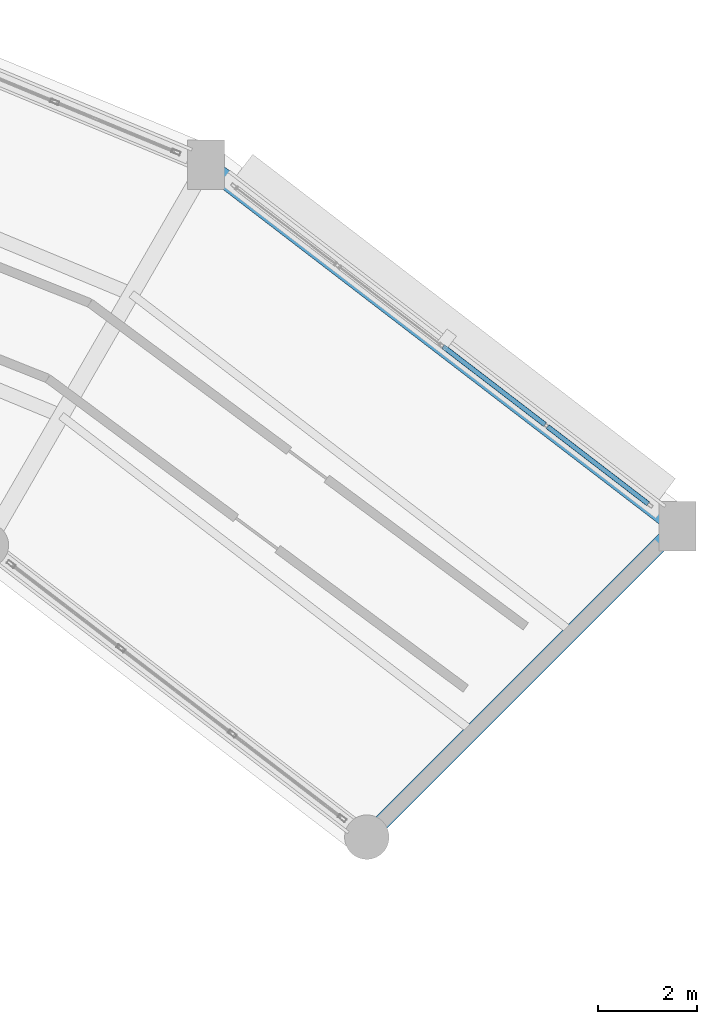
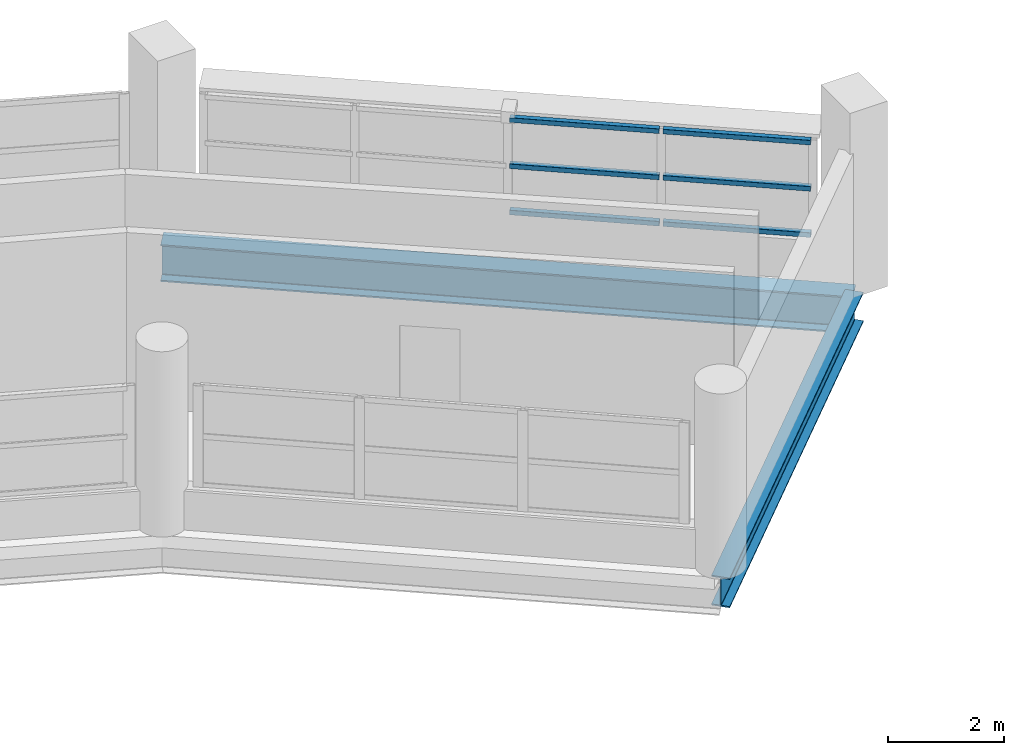
# One storey, part 36 of 53: 6 members, 2 beams, 1 element without a shape of its own.
"""IFC4 building model written with IfcOpenShell, lengths in metres."""

from ifc_helpers import new_model, si_unit, direction, frame, origin, origin_2d, place, context, subcontext, project, spatial, hollow_rectangle, i_section, extrude, material, layer, layer_set, material_profile, profile_set, type_object, element, aggregate, save


model = new_model("IFC4")

# Units and contexts
model_context = context("Model", 3, precision=1e-05, world=origin(), true_north=direction((0.0, 1.0)))
body_context = subcontext(model_context, "Body", "Model", "MODEL_VIEW")
ifc_project = project(units=[si_unit("LENGTHUNIT", "METRE"), si_unit("AREAUNIT", "SQUARE_METRE"), si_unit("VOLUMEUNIT", "CUBIC_METRE"), si_unit("PLANEANGLEUNIT", "RADIAN"), si_unit("MASSUNIT", "GRAM", prefix="KILO")], contexts=[model_context])

# Site, building, storey
site_placement = place(None, origin())
site = spatial("IfcSite", under=ifc_project, at=site_placement, CompositionType="ELEMENT")
building_placement = place(site_placement, origin())
building = spatial("IfcBuilding", under=site, at=building_placement, Name="Vespera Passage Community Centre", CompositionType="ELEMENT")
storey_placement = place(building_placement, frame((0.0, 0.0, 20.39990234375)))
storey = spatial("IfcBuildingStorey", under=building, at=storey_placement, Name="L05", CompositionType="ELEMENT", Elevation=20.39990234375)

# Beams
ifc_material_1 = material(Name="Steel ASTM A992 Grade 50", Category="steel")
ifc_material_profile_1 = material_profile(ifc_material_1, i_section(OverallWidth=0.32763671875, OverallDepth=0.62841796875, WebThickness=0.0166015625, FlangeThickness=0.027587890625, FilletRadius=0.0126953125, at=origin_2d()), Name="W24X146")
ifc_profile_set_1 = profile_set([ifc_material_profile_1], Name="Steel ASTM A992 Grade 50")
beam_type_1 = type_object("IfcBeamType", Name="BM-G-W24X146", PredefinedType="BEAM", material=ifc_profile_set_1)
beam_1_placement = place(storey_placement, frame((104.304443359375, 91.804443359375, -0.57421875), z_axis=(0.707106781187, 0.707106781187, 0.0), x_axis=(-0.707106781187, 0.707106781187, 0.0)))
element("IfcBeam", 1, at=beam_1_placement, inside=storey, type_object=beam_type_1, Name="V4 L05 Radial Girder 3", PredefinedType="BEAM", context=body_context, shape_type="SweptSolid", body=[
    extrude(i_section(OverallWidth=0.32763671875, OverallDepth=0.62841796875, WebThickness=0.0166015625, FlangeThickness=0.027587890625, FilletRadius=0.0126953125, at=origin_2d()), origin(), (0.0, 0.0, 1.0), 8.89990234375),
])
ifc_material_2 = material(Name="Steel ASTM A992 Grade 50", Category="steel")
ifc_material_profile_2 = material_profile(ifc_material_2, i_section(OverallWidth=0.382080078125, OverallDepth=0.779296875, WebThickness=0.01806640625, FlangeThickness=0.030029296875, FilletRadius=0.0166015625, at=origin_2d()), Name="W30X191")
ifc_profile_set_2 = profile_set([ifc_material_profile_2], Name="Steel ASTM A992 Grade 50")
beam_type_2 = type_object("IfcBeamType", Name="BM-SP-W30X191E", PredefinedType="SPANDREL", material=ifc_profile_set_2)
beam_2_placement = place(storey_placement, frame((110.59765625, 98.09765625, -0.649658203125), z_axis=(-0.793351934501, 0.608763261066, 0.0), x_axis=(-0.608763261066, -0.793351934501, 0.0)))
element("IfcBeam", 2, at=beam_2_placement, inside=storey, type_object=beam_type_2, Name="V4 L05 Outer Spandrel 3", PredefinedType="SPANDREL", context=body_context, shape_type="SweptSolid", body=[
    extrude(i_section(OverallWidth=0.382080078125, OverallDepth=0.779296875, WebThickness=0.01806640625, FlangeThickness=0.030029296875, FilletRadius=0.0166015625, at=origin_2d()), origin(), (0.0, 0.0, 1.0), 12.034423828125),
])

# Curtain wall, members
ifc_material_3 = material(Name="Anodized aluminium 6063-T6", Category="aluminium")
ifc_layer = layer(ifc_material_3, 0.159912109375)
ifc_layer_set = layer_set([ifc_layer], Name="Anodized aluminium 6063-T6")
curtain_wall_type = type_object("IfcCurtainWallType", Name="CW-69E", PredefinedType="NOTDEFINED", material=ifc_layer_set)
curtain_wall_placement = place(storey_placement, origin())
curtain_wall = element("IfcCurtainWall", 3, at=curtain_wall_placement, inside=storey, type_object=curtain_wall_type, Name="V4 L05 Outer Ribbon Curtain Wall 3", PredefinedType="NOTDEFINED")
ifc_material_4 = material(Name="Anodized aluminium 6063-T6", Category="aluminium")
ifc_material_profile_3 = material_profile(ifc_material_4, hollow_rectangle(XDim=0.10009765625, YDim=0.10009765625, WallThickness=0.00390625, InnerFilletRadius=0.001953125, OuterFilletRadius=0.00390625, at=origin_2d()), Name="ALU100X100X4")
ifc_profile_set_3 = profile_set([ifc_material_profile_3], Name="Anodized aluminium 6063-T6")
member_type = type_object("IfcMemberType", Name="MB-CWT-100E", PredefinedType="USERDEFINED", material=ifc_profile_set_3)
member_1_placement = place(storey_placement, frame((105.849609375, 101.740966796875, 0.8701171875), z_axis=(0.793325147434, -0.608798168894, 0.0), x_axis=(0.608798168894, 0.793325147434, 0.0)))
member_1 = element("IfcMember", 4, at=member_1_placement, type_object=member_type, Name="CW-69E transom 3.1", ObjectType="TRANSOM", PredefinedType="USERDEFINED", context=body_context, shape_type="SweptSolid", body=[
    extrude(hollow_rectangle(XDim=0.10009765625, YDim=0.10009765625, WallThickness=0.00390625, InnerFilletRadius=0.001953125, OuterFilletRadius=0.00390625, at=origin_2d()), origin(), (0.0, 0.0, 1.0), 2.599853515625),
])
member_2_placement = place(storey_placement, frame((105.849609375, 101.740966796875, 1.843017578125), z_axis=(0.793325147434, -0.608798168894, 0.0), x_axis=(0.608798168894, 0.793325147434, 0.0)))
member_2 = element("IfcMember", 5, at=member_2_placement, type_object=member_type, Name="CW-69E transom 3.2", ObjectType="TRANSOM", PredefinedType="USERDEFINED", context=body_context, shape_type="SweptSolid", body=[
    extrude(hollow_rectangle(XDim=0.10009765625, YDim=0.10009765625, WallThickness=0.00390625, InnerFilletRadius=0.001953125, OuterFilletRadius=0.00390625, at=origin_2d()), origin(), (0.0, 0.0, 1.0), 2.599853515625),
])
member_3_placement = place(storey_placement, frame((105.849609375, 101.740966796875, 2.81591796875), z_axis=(0.793325147434, -0.608798168894, 0.0), x_axis=(0.608798168894, 0.793325147434, 0.0)))
member_3 = element("IfcMember", 6, at=member_3_placement, type_object=member_type, Name="CW-69E transom 3.3", ObjectType="TRANSOM", PredefinedType="USERDEFINED", context=body_context, shape_type="SweptSolid", body=[
    extrude(hollow_rectangle(XDim=0.10009765625, YDim=0.10009765625, WallThickness=0.00390625, InnerFilletRadius=0.001953125, OuterFilletRadius=0.00390625, at=origin_2d()), origin(), (0.0, 0.0, 1.0), 2.599853515625),
])
member_4_placement = place(storey_placement, frame((107.963623046875, 100.11865234375, 0.8701171875), z_axis=(0.793344571237, -0.608772856893, 0.0), x_axis=(0.608772856893, 0.793344571237, 0.0)))
member_4 = element("IfcMember", 7, at=member_4_placement, type_object=member_type, Name="CW-69E transom 4.1", ObjectType="TRANSOM", PredefinedType="USERDEFINED", context=body_context, shape_type="SweptSolid", body=[
    extrude(hollow_rectangle(XDim=0.10009765625, YDim=0.10009765625, WallThickness=0.00390625, InnerFilletRadius=0.001953125, OuterFilletRadius=0.00390625, at=origin_2d()), origin(), (0.0, 0.0, 1.0), 2.5673828125),
])
member_5_placement = place(storey_placement, frame((107.963623046875, 100.11865234375, 1.843017578125), z_axis=(0.793344571237, -0.608772856893, 0.0), x_axis=(0.608772856893, 0.793344571237, 0.0)))
member_5 = element("IfcMember", 8, at=member_5_placement, type_object=member_type, Name="CW-69E transom 4.2", ObjectType="TRANSOM", PredefinedType="USERDEFINED", context=body_context, shape_type="SweptSolid", body=[
    extrude(hollow_rectangle(XDim=0.10009765625, YDim=0.10009765625, WallThickness=0.00390625, InnerFilletRadius=0.001953125, OuterFilletRadius=0.00390625, at=origin_2d()), origin(), (0.0, 0.0, 1.0), 2.5673828125),
])
member_6_placement = place(storey_placement, frame((107.963623046875, 100.11865234375, 2.81591796875), z_axis=(0.793344571237, -0.608772856893, 0.0), x_axis=(0.608772856893, 0.793344571237, 0.0)))
member_6 = element("IfcMember", 9, at=member_6_placement, type_object=member_type, Name="CW-69E transom 4.3", ObjectType="TRANSOM", PredefinedType="USERDEFINED", context=body_context, shape_type="SweptSolid", body=[
    extrude(hollow_rectangle(XDim=0.10009765625, YDim=0.10009765625, WallThickness=0.00390625, InnerFilletRadius=0.001953125, OuterFilletRadius=0.00390625, at=origin_2d()), origin(), (0.0, 0.0, 1.0), 2.5673828125),
])
aggregate(curtain_wall, [member_1, member_2, member_3, member_4, member_5, member_6])

save(model, "model.ifc")
